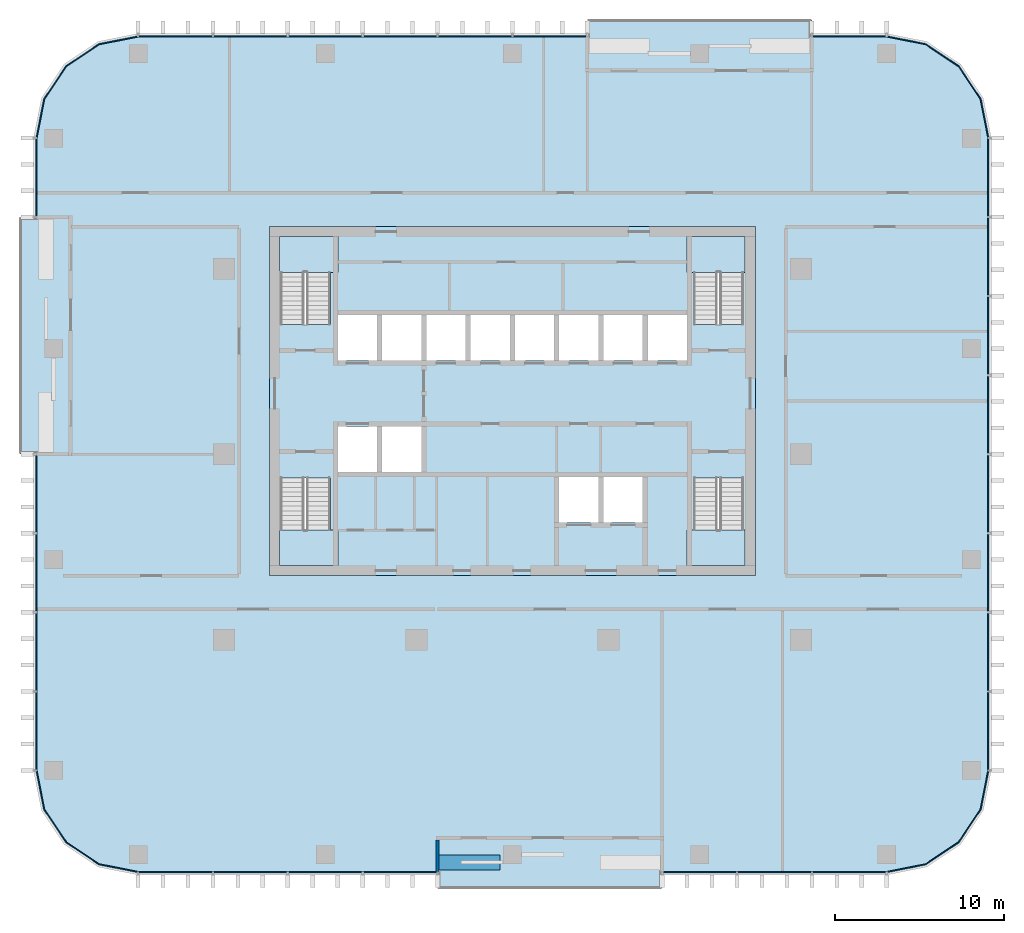
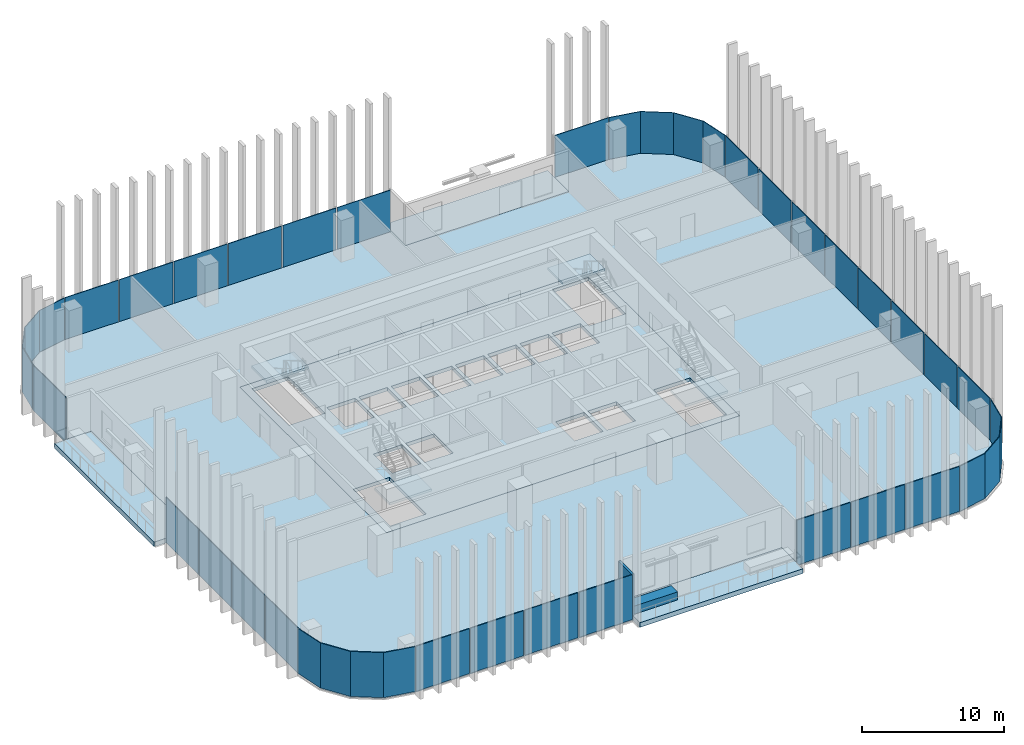
# One storey, part 6 of 16: 31 plates, 9 slabs, 2 walls, 15 elements without a shape of their own.
"""IFC4 building model written with IfcOpenShell, lengths in metres."""

from ifc_helpers import new_model, si_unit, direction, frame, frame_2d, origin, origin_2d, place, context, subcontext, project, spatial, polyline, rectangle, outline, extrude, material, layer, layer_set, type_object, element, aggregate, save


model = new_model("IFC4")

# Units and contexts
model_context = context("Model", 3, precision=1e-05, world=origin(), true_north=direction((0.0, 1.0)))
body_context = subcontext(model_context, "Body", "Model", "MODEL_VIEW")
ifc_project = project(units=[si_unit("LENGTHUNIT", "METRE"), si_unit("AREAUNIT", "SQUARE_METRE"), si_unit("VOLUMEUNIT", "CUBIC_METRE"), si_unit("PLANEANGLEUNIT", "RADIAN"), si_unit("MASSUNIT", "GRAM", prefix="KILO")], contexts=[model_context])

# Site, building, storey
site_placement = place(None, origin())
site = spatial("IfcSite", under=ifc_project, at=site_placement, CompositionType="ELEMENT")
building_placement = place(site_placement, origin())
building = spatial("IfcBuilding", under=site, at=building_placement, Name="Mopane Tessera Tower", CompositionType="ELEMENT")
storey_placement = place(building_placement, frame((0.0, 0.0, 247.0)))
storey = spatial("IfcBuildingStorey", under=building, at=storey_placement, Name="L53", CompositionType="ELEMENT", Elevation=247.0)

# Slab
ifc_material_1 = material(Name="Concrete C40/50", Category="concrete")
ifc_layer_1 = layer(ifc_material_1, 0.300048828125)
ifc_layer_set_1 = layer_set([ifc_layer_1], Name="Concrete C40/50")
slab_type_1 = type_object("IfcSlabType", Name="Core floor slab 300 mm", PredefinedType="FLOOR", material=ifc_layer_set_1)
slab_1_placement = place(storey_placement, frame((0.0, 0.0, -0.300048828125)))
element("IfcSlab", 1, at=slab_1_placement, inside=storey, type_object=slab_type_1, Name="L53 core floor slab", PredefinedType="FLOOR", context=body_context, shape_type="SweptSolid", body=[
    extrude(outline(polyline([(-14.39990234375, -7.199951171875), (14.39990234375, -7.199951171875), (14.39990234375, 13.5), (-14.39990234375, 13.5), (-14.39990234375, -7.199951171875)]), holes=[polyline([(-10.35009765625, -1.050048828125), (-8.02490234375, -1.050048828125), (-8.02490234375, 1.64990234375), (-10.35009765625, 1.64990234375), (-10.35009765625, -1.050048828125)]), polyline([(-7.72509765625, -1.050048828125), (-5.39990234375, -1.050048828125), (-5.39990234375, 1.64990234375), (-7.72509765625, 1.64990234375), (-7.72509765625, -1.050048828125)]), polyline([(-10.35009765625, 5.550048828125), (-8.02490234375, 5.550048828125), (-8.02490234375, 8.25), (-10.35009765625, 8.25), (-10.35009765625, 5.550048828125)]), polyline([(-7.72509765625, 5.550048828125), (-5.39990234375, 5.550048828125), (-5.39990234375, 8.25), (-7.72509765625, 8.25), (-7.72509765625, 5.550048828125)]), polyline([(-5.10009765625, 5.550048828125), (-2.77490234375, 5.550048828125), (-2.77490234375, 8.25), (-5.10009765625, 8.25), (-5.10009765625, 5.550048828125)]), polyline([(-2.47509765625, 5.550048828125), (-0.14990234375, 5.550048828125), (-0.14990234375, 8.25), (-2.47509765625, 8.25), (-2.47509765625, 5.550048828125)]), polyline([(0.14990234375, 5.550048828125), (2.47509765625, 5.550048828125), (2.47509765625, 8.25), (0.14990234375, 8.25), (0.14990234375, 5.550048828125)]), polyline([(2.77490234375, 5.550048828125), (5.10009765625, 5.550048828125), (5.10009765625, 8.25), (2.77490234375, 8.25), (2.77490234375, 5.550048828125)]), polyline([(5.39990234375, 5.550048828125), (7.72509765625, 5.550048828125), (7.72509765625, 8.25), (5.39990234375, 8.25), (5.39990234375, 5.550048828125)]), polyline([(8.02490234375, 5.550048828125), (10.35009765625, 5.550048828125), (10.35009765625, 8.25), (8.02490234375, 8.25), (8.02490234375, 5.550048828125)]), polyline([(2.77490234375, -4.050048828125), (5.10009765625, -4.050048828125), (5.10009765625, -1.35009765625), (2.77490234375, -1.35009765625), (2.77490234375, -4.050048828125)]), polyline([(5.39990234375, -4.050048828125), (7.72509765625, -4.050048828125), (7.72509765625, -1.35009765625), (5.39990234375, -1.35009765625), (5.39990234375, -4.050048828125)]), polyline([(-13.75, -1.405029296875), (-13.75, -6.60009765625), (-10.800048828125, -6.60009765625), (-10.800048828125, -1.405029296875), (-13.75, -1.405029296875)]), polyline([(-10.800048828125, 7.705078125), (-10.800048828125, 12.89990234375), (-13.75, 12.89990234375), (-13.75, 7.705078125), (-10.800048828125, 7.705078125)]), polyline([(10.75, -1.405029296875), (10.75, -6.60009765625), (13.699951171875, -6.60009765625), (13.699951171875, -1.405029296875), (10.75, -1.405029296875)]), polyline([(13.699951171875, 7.705078125), (13.699951171875, 12.89990234375), (10.75, 12.89990234375), (10.75, 7.705078125), (13.699951171875, 7.705078125)])]), origin(), (0.0, 0.0, 1.0), 0.300048828125),
])

# Stair, slab
ifc_material_2 = material(Name="Concrete C50/60", Category="concrete")
stair_type = type_object("IfcStairType", Name="Escape stair 1400 mm, riser 167 mm", PredefinedType="HALF_TURN_STAIR", material=ifc_material_2)
stair_1_placement = place(storey_placement, origin())
stair_1 = element("IfcStair", 2, at=stair_1_placement, inside=storey, type_object=stair_type, Name="L53 Escape stair south-west", PredefinedType="HALF_TURN_STAIR")
ifc_material_3 = material(Name="Concrete C50/60", Category="concrete")
ifc_layer_2 = layer(ifc_material_3, 0.199951171875)
ifc_layer_set_2 = layer_set([ifc_layer_2], Name="Concrete C50/60")
slab_type_2 = type_object("IfcSlabType", Name="Escape stair landing 200 mm", PredefinedType="LANDING", material=ifc_layer_set_2)
slab_2_placement = place(storey_placement, frame((0.0, 0.0, 1.800048828125)))
slab_2 = element("IfcSlab", 3, at=slab_2_placement, type_object=slab_type_2, Name="ST1 landing 1", PredefinedType="LANDING", context=body_context, shape_type="SweptSolid", body=[
    extrude(outline(polyline([(-13.800048828125, -4.47998046875), (-13.800048828125, -6.60009765625), (-10.35009765625, -6.60009765625), (-10.35009765625, -4.47998046875), (-13.800048828125, -4.47998046875)])), origin(), (0.0, 0.0, 1.0), 0.199951171875),
])
aggregate(stair_1, [slab_2])

stair_2_placement = place(storey_placement, origin())
stair_2 = element("IfcStair", 4, at=stair_2_placement, inside=storey, type_object=stair_type, Name="L53 Escape stair north-west", PredefinedType="HALF_TURN_STAIR")
slab_3_placement = place(storey_placement, frame((0.0, 0.0, 1.800048828125)))
slab_3 = element("IfcSlab", 5, at=slab_3_placement, type_object=slab_type_2, Name="ST2 landing 1", PredefinedType="LANDING", context=body_context, shape_type="SweptSolid", body=[
    extrude(outline(polyline([(-10.35009765625, 10.780029296875), (-10.35009765625, 12.89990234375), (-13.800048828125, 12.89990234375), (-13.800048828125, 10.780029296875), (-10.35009765625, 10.780029296875)])), origin(), (0.0, 0.0, 1.0), 0.199951171875),
])
aggregate(stair_2, [slab_3])

stair_3_placement = place(storey_placement, origin())
stair_3 = element("IfcStair", 6, at=stair_3_placement, inside=storey, type_object=stair_type, Name="L53 Escape stair south-east", PredefinedType="HALF_TURN_STAIR")
slab_4_placement = place(storey_placement, frame((0.0, 0.0, 1.800048828125)))
slab_4 = element("IfcSlab", 7, at=slab_4_placement, type_object=slab_type_2, Name="ST3 landing 1", PredefinedType="LANDING", context=body_context, shape_type="SweptSolid", body=[
    extrude(outline(polyline([(10.35009765625, -4.47998046875), (10.35009765625, -6.60009765625), (13.800048828125, -6.60009765625), (13.800048828125, -4.47998046875), (10.35009765625, -4.47998046875)])), origin(), (0.0, 0.0, 1.0), 0.199951171875),
])
aggregate(stair_3, [slab_4])

stair_4_placement = place(storey_placement, origin())
stair_4 = element("IfcStair", 8, at=stair_4_placement, inside=storey, type_object=stair_type, Name="L53 Escape stair north-east", PredefinedType="HALF_TURN_STAIR")
slab_5_placement = place(storey_placement, frame((0.0, 0.0, 1.800048828125)))
slab_5 = element("IfcSlab", 9, at=slab_5_placement, type_object=slab_type_2, Name="ST4 landing 1", PredefinedType="LANDING", context=body_context, shape_type="SweptSolid", body=[
    extrude(outline(polyline([(13.800048828125, 10.780029296875), (13.800048828125, 12.89990234375), (10.35009765625, 12.89990234375), (10.35009765625, 10.780029296875), (13.800048828125, 10.780029296875)])), origin(), (0.0, 0.0, 1.0), 0.199951171875),
])
aggregate(stair_4, [slab_5])

# Slabs
ifc_material_4 = material(Name="Concrete C40/50", Category="concrete")
ifc_layer_3 = layer(ifc_material_4, 0.39990234375)
ifc_layer_set_3 = layer_set([ifc_layer_3], Name="Concrete C40/50")
slab_type_3 = type_object("IfcSlabType", Name="Planted terrace slab 400 mm", PredefinedType="FLOOR", material=ifc_layer_set_3)
slab_6_placement = place(storey_placement, frame((0.0, 0.0, -0.39990234375)))
element("IfcSlab", 10, at=slab_6_placement, inside=storey, type_object=slab_type_3, Name="Terrace slab N1 L53", PredefinedType="FLOOR", context=body_context, shape_type="SweptSolid", body=[
    extrude(outline(polyline([(8.8798828125, -25.75), (8.8798828125, -22.75), (-4.43994140625, -22.75), (-4.43994140625, -25.75), (8.8798828125, -25.75)])), origin(), (0.0, 0.0, 1.0), 0.39990234375),
])
slab_7_placement = place(storey_placement, frame((0.0, 0.0, -0.39990234375)))
element("IfcSlab", 11, at=slab_7_placement, inside=storey, type_object=slab_type_3, Name="Terrace slab N2 L53", PredefinedType="FLOOR", context=body_context, shape_type="SweptSolid", body=[
    extrude(outline(polyline([(4.43994140625, 25.75), (4.43994140625, 22.75), (17.760009765625, 22.75), (17.760009765625, 25.75), (4.43994140625, 25.75)])), origin(), (0.0, 0.0, 1.0), 0.39990234375),
])
slab_8_placement = place(storey_placement, frame((0.0, 0.0, -0.39990234375)))
element("IfcSlab", 12, at=slab_8_placement, inside=storey, type_object=slab_type_3, Name="Terrace slab N3 L53", PredefinedType="FLOOR", context=body_context, shape_type="SweptSolid", body=[
    extrude(outline(polyline([(-29.199951171875, 0.0), (-26.199951171875, 0.0), (-26.199951171875, 14.0625), (-29.199951171875, 14.0625), (-29.199951171875, 0.0)])), origin(), (0.0, 0.0, 1.0), 0.39990234375),
])
ifc_material_5 = material(Name="Concrete C40/50", Category="concrete")
ifc_layer_4 = layer(ifc_material_5, 0.39990234375)
ifc_layer_set_4 = layer_set([ifc_layer_4], Name="Concrete C40/50")
slab_type_4 = type_object("IfcSlabType", Name="Post-tensioned flat plate 400 mm", PredefinedType="FLOOR", material=ifc_layer_set_4)
slab_9_placement = place(storey_placement, frame((0.0, 0.0, -0.39990234375)))
element("IfcSlab", 13, at=slab_9_placement, inside=storey, type_object=slab_type_4, Name="Floor slab L53", PredefinedType="FLOOR", context=body_context, shape_type="SweptSolid", body=[
    extrude(outline(polyline([(-22.199951171875, -24.75), (-4.43994140625, -24.75), (-4.43994140625, -22.75), (8.8798828125, -22.75), (8.8798828125, -24.75), (22.199951171875, -24.75), (24.49609375, -24.293212890625), (26.442626953125, -22.99267578125), (27.7431640625, -21.046142578125), (28.199951171875, -18.75), (28.199951171875, 18.75), (27.7431640625, 21.046142578125), (26.442626953125, 22.99267578125), (24.49609375, 24.293212890625), (22.199951171875, 24.75), (17.760009765625, 24.75), (17.760009765625, 22.75), (4.43994140625, 22.75), (4.43994140625, 24.75), (-22.199951171875, 24.75), (-24.49609375, 24.293212890625), (-26.442626953125, 22.99267578125), (-27.7431640625, 21.046142578125), (-28.199951171875, 18.75), (-28.199951171875, 14.0625), (-26.199951171875, 14.0625), (-26.199951171875, 0.0), (-28.199951171875, 0.0), (-28.199951171875, -18.75), (-27.7431640625, -21.046142578125), (-26.442626953125, -22.99267578125), (-24.49609375, -24.293212890625), (-22.199951171875, -24.75)]), holes=[polyline([(14.39990234375, -7.199951171875), (-14.39990234375, -7.199951171875), (-14.39990234375, 13.5), (14.39990234375, 13.5), (14.39990234375, -7.199951171875)])]), origin(), (0.0, 0.0, 1.0), 0.39990234375),
])

# Curtain wall, plates
ifc_material_6 = material(Name="Aluminium frame", Category="aluminium")
curtain_wall_type = type_object("IfcCurtainWallType", Name="Unitised curtain wall", PredefinedType="NOTDEFINED", material=ifc_material_6)
curtain_wall_1_placement = place(storey_placement, origin())
curtain_wall_1 = element("IfcCurtainWall", 14, at=curtain_wall_1_placement, inside=storey, type_object=curtain_wall_type, Name="e:cw:L53:S:0", PredefinedType="NOTDEFINED")
ifc_material_7 = material(Name="Clear laminated glass", Category="glass")
ifc_layer_5 = layer(ifc_material_7, 0.06005859375)
ifc_layer_set_5 = layer_set([ifc_layer_5], Name="Clear laminated glass")
plate_type = type_object("IfcPlateType", Name="Unitised glazed unit", PredefinedType="CURTAIN_PANEL", material=ifc_layer_set_5)
plate_1_placement = place(storey_placement, frame((-19.97998046875, -24.780029296875, -0.280029296875), z_axis=(0.0, 0.0, 1.0), x_axis=(1.0, 0.0, 0.0)))
plate_1 = element("IfcPlate", 15, at=plate_1_placement, type_object=plate_type, Name="e:cw:L53:S:0:pn0", PredefinedType="CURTAIN_PANEL", context=body_context, shape_type="SweptSolid", body=[
    extrude(rectangle(XDim=4.340087890625, YDim=0.06005859375, at=origin_2d()), origin(), (0.0, 0.0, 1.0), 3.8798828125),
])
plate_2_placement = place(storey_placement, frame((-15.5400390625, -24.780029296875, -0.280029296875), z_axis=(0.0, 0.0, 1.0), x_axis=(1.0, 0.0, 0.0)))
plate_2 = element("IfcPlate", 16, at=plate_2_placement, type_object=plate_type, Name="e:cw:L53:S:0:pn1", PredefinedType="CURTAIN_PANEL", context=body_context, shape_type="SweptSolid", body=[
    extrude(rectangle(XDim=4.340087890625, YDim=0.06005859375, at=origin_2d()), origin(), (0.0, 0.0, 1.0), 3.8798828125),
])
plate_3_placement = place(storey_placement, frame((-11.10009765625, -24.780029296875, -0.280029296875), z_axis=(0.0, 0.0, 1.0), x_axis=(1.0, 0.0, 0.0)))
plate_3 = element("IfcPlate", 17, at=plate_3_placement, type_object=plate_type, Name="e:cw:L53:S:0:pn2", PredefinedType="CURTAIN_PANEL", context=body_context, shape_type="SweptSolid", body=[
    extrude(rectangle(XDim=4.340087890625, YDim=0.06005859375, at=origin_2d()), origin(), (0.0, 0.0, 1.0), 3.8798828125),
])
plate_4_placement = place(storey_placement, frame((-6.659912109375, -24.780029296875, -0.280029296875), z_axis=(0.0, 0.0, 1.0), x_axis=(1.0, 0.0, 0.0)))
plate_4 = element("IfcPlate", 18, at=plate_4_placement, type_object=plate_type, Name="e:cw:L53:S:0:pn3", PredefinedType="CURTAIN_PANEL", context=body_context, shape_type="SweptSolid", body=[
    extrude(rectangle(XDim=4.340087890625, YDim=0.06005859375, at=origin_2d()), origin(), (0.0, 0.0, 1.0), 3.8798828125),
])
aggregate(curtain_wall_1, [plate_1, plate_2, plate_3, plate_4])

curtain_wall_2_placement = place(storey_placement, origin())
curtain_wall_2 = element("IfcCurtainWall", 19, at=curtain_wall_2_placement, inside=storey, type_object=curtain_wall_type, Name="e:cw:L53:S:7", PredefinedType="NOTDEFINED")
plate_5_placement = place(storey_placement, frame((11.10009765625, -24.780029296875, -0.280029296875), z_axis=(0.0, 0.0, 1.0), x_axis=(1.0, 0.0, 0.0)))
plate_5 = element("IfcPlate", 20, at=plate_5_placement, type_object=plate_type, Name="e:cw:L53:S:7:pn7", PredefinedType="CURTAIN_PANEL", context=body_context, shape_type="SweptSolid", body=[
    extrude(rectangle(XDim=4.340087890625, YDim=0.06005859375, at=origin_2d()), origin(), (0.0, 0.0, 1.0), 3.8798828125),
])
plate_6_placement = place(storey_placement, frame((15.5400390625, -24.780029296875, -0.280029296875), z_axis=(0.0, 0.0, 1.0), x_axis=(1.0, 0.0, 0.0)))
plate_6 = element("IfcPlate", 21, at=plate_6_placement, type_object=plate_type, Name="e:cw:L53:S:7:pn8", PredefinedType="CURTAIN_PANEL", context=body_context, shape_type="SweptSolid", body=[
    extrude(rectangle(XDim=4.340087890625, YDim=0.06005859375, at=origin_2d()), origin(), (0.0, 0.0, 1.0), 3.8798828125),
])
plate_7_placement = place(storey_placement, frame((19.97998046875, -24.780029296875, -0.280029296875), z_axis=(0.0, 0.0, 1.0), x_axis=(1.0, 0.0, 0.0)))
plate_7 = element("IfcPlate", 22, at=plate_7_placement, type_object=plate_type, Name="e:cw:L53:S:7:pn9", PredefinedType="CURTAIN_PANEL", context=body_context, shape_type="SweptSolid", body=[
    extrude(rectangle(XDim=4.340087890625, YDim=0.06005859375, at=origin_2d()), origin(), (0.0, 0.0, 1.0), 3.8798828125),
])
aggregate(curtain_wall_2, [plate_5, plate_6, plate_7])

# Curtain wall, plate
curtain_wall_3_placement = place(storey_placement, origin())
curtain_wall_3 = element("IfcCurtainWall", 23, at=curtain_wall_3_placement, inside=storey, type_object=curtain_wall_type, Name="e:cw:L53:CS", PredefinedType="NOTDEFINED")
plate_8_placement = place(storey_placement, frame((0.0, 0.0, -0.280029296875)))
plate_8 = element("IfcPlate", 24, at=plate_8_placement, type_object=plate_type, Name="e:cw:L53:CS:pn", PredefinedType="CURTAIN_PANEL", context=body_context, shape_type="SweptSolid", body=[
    extrude(outline(polyline([(22.199951171875, -24.75), (24.49609375, -24.293212890625), (26.442626953125, -22.99267578125), (27.7431640625, -21.046142578125), (28.199951171875, -18.75), (28.260009765625, -18.75), (27.798828125, -21.069091796875), (26.485107421875, -23.03515625), (24.51904296875, -24.3486328125), (22.199951171875, -24.81005859375), (22.199951171875, -24.75)])), origin(), (0.0, 0.0, 1.0), 3.880126953125),
])
aggregate(curtain_wall_3, [plate_8])

# Curtain wall, plates
curtain_wall_4_placement = place(storey_placement, origin())
curtain_wall_4 = element("IfcCurtainWall", 25, at=curtain_wall_4_placement, inside=storey, type_object=curtain_wall_type, Name="e:cw:L53:E:0", PredefinedType="NOTDEFINED")
plate_9_placement = place(storey_placement, frame((28.22998046875, -16.40625, -0.280029296875), z_axis=(0.0, 0.0, 1.0), x_axis=(0.0, 1.0, 0.0)))
plate_9 = element("IfcPlate", 26, at=plate_9_placement, type_object=plate_type, Name="e:cw:L53:E:0:pn0", PredefinedType="CURTAIN_PANEL", context=body_context, shape_type="SweptSolid", body=[
    extrude(rectangle(XDim=4.58740234375, YDim=0.06005859375, at=origin_2d()), origin(), (0.0, 0.0, 1.0), 3.8798828125),
])
plate_10_placement = place(storey_placement, frame((28.22998046875, -11.71875, -0.280029296875), z_axis=(0.0, 0.0, 1.0), x_axis=(0.0, 1.0, 0.0)))
plate_10 = element("IfcPlate", 27, at=plate_10_placement, type_object=plate_type, Name="e:cw:L53:E:0:pn1", PredefinedType="CURTAIN_PANEL", context=body_context, shape_type="SweptSolid", body=[
    extrude(rectangle(XDim=4.58740234375, YDim=0.06005859375, at=origin_2d()), origin(), (0.0, 0.0, 1.0), 3.8798828125),
])
plate_11_placement = place(storey_placement, frame((28.22998046875, -7.03125, -0.280029296875), z_axis=(0.0, 0.0, 1.0), x_axis=(0.0, 1.0, 0.0)))
plate_11 = element("IfcPlate", 28, at=plate_11_placement, type_object=plate_type, Name="e:cw:L53:E:0:pn2", PredefinedType="CURTAIN_PANEL", context=body_context, shape_type="SweptSolid", body=[
    extrude(rectangle(XDim=4.58740234375, YDim=0.06005859375, at=origin_2d()), origin(), (0.0, 0.0, 1.0), 3.8798828125),
])
plate_12_placement = place(storey_placement, frame((28.22998046875, -2.34375, -0.280029296875), z_axis=(0.0, 0.0, 1.0), x_axis=(0.0, 1.0, 0.0)))
plate_12 = element("IfcPlate", 29, at=plate_12_placement, type_object=plate_type, Name="e:cw:L53:E:0:pn3", PredefinedType="CURTAIN_PANEL", context=body_context, shape_type="SweptSolid", body=[
    extrude(rectangle(XDim=4.58740234375, YDim=0.06005859375, at=origin_2d()), origin(), (0.0, 0.0, 1.0), 3.8798828125),
])
plate_13_placement = place(storey_placement, frame((28.22998046875, 2.34375, -0.280029296875), z_axis=(0.0, 0.0, 1.0), x_axis=(0.0, 1.0, 0.0)))
plate_13 = element("IfcPlate", 30, at=plate_13_placement, type_object=plate_type, Name="e:cw:L53:E:0:pn4", PredefinedType="CURTAIN_PANEL", context=body_context, shape_type="SweptSolid", body=[
    extrude(rectangle(XDim=4.58740234375, YDim=0.06005859375, at=origin_2d()), origin(), (0.0, 0.0, 1.0), 3.8798828125),
])
plate_14_placement = place(storey_placement, frame((28.22998046875, 7.03125, -0.280029296875), z_axis=(0.0, 0.0, 1.0), x_axis=(0.0, 1.0, 0.0)))
plate_14 = element("IfcPlate", 31, at=plate_14_placement, type_object=plate_type, Name="e:cw:L53:E:0:pn5", PredefinedType="CURTAIN_PANEL", context=body_context, shape_type="SweptSolid", body=[
    extrude(rectangle(XDim=4.58740234375, YDim=0.06005859375, at=origin_2d()), origin(), (0.0, 0.0, 1.0), 3.8798828125),
])
plate_15_placement = place(storey_placement, frame((28.22998046875, 11.71875, -0.280029296875), z_axis=(0.0, 0.0, 1.0), x_axis=(0.0, 1.0, 0.0)))
plate_15 = element("IfcPlate", 32, at=plate_15_placement, type_object=plate_type, Name="e:cw:L53:E:0:pn6", PredefinedType="CURTAIN_PANEL", context=body_context, shape_type="SweptSolid", body=[
    extrude(rectangle(XDim=4.58740234375, YDim=0.06005859375, at=origin_2d()), origin(), (0.0, 0.0, 1.0), 3.8798828125),
])
plate_16_placement = place(storey_placement, frame((28.22998046875, 16.40625, -0.280029296875), z_axis=(0.0, 0.0, 1.0), x_axis=(0.0, 1.0, 0.0)))
plate_16 = element("IfcPlate", 33, at=plate_16_placement, type_object=plate_type, Name="e:cw:L53:E:0:pn7", PredefinedType="CURTAIN_PANEL", context=body_context, shape_type="SweptSolid", body=[
    extrude(rectangle(XDim=4.58740234375, YDim=0.06005859375, at=origin_2d()), origin(), (0.0, 0.0, 1.0), 3.8798828125),
])
aggregate(curtain_wall_4, [plate_9, plate_10, plate_11, plate_12, plate_13, plate_14, plate_15, plate_16])

# Curtain wall, plate
curtain_wall_5_placement = place(storey_placement, origin())
curtain_wall_5 = element("IfcCurtainWall", 34, at=curtain_wall_5_placement, inside=storey, type_object=curtain_wall_type, Name="e:cw:L53:CE", PredefinedType="NOTDEFINED")
plate_17_placement = place(storey_placement, frame((0.0, 0.0, -0.280029296875)))
plate_17 = element("IfcPlate", 35, at=plate_17_placement, type_object=plate_type, Name="e:cw:L53:CE:pn", PredefinedType="CURTAIN_PANEL", context=body_context, shape_type="SweptSolid", body=[
    extrude(outline(polyline([(28.199951171875, 18.75), (27.7431640625, 21.046142578125), (26.442626953125, 22.99267578125), (24.49609375, 24.293212890625), (22.199951171875, 24.75), (22.199951171875, 24.81005859375), (24.51904296875, 24.3486328125), (26.485107421875, 23.03515625), (27.798828125, 21.069091796875), (28.260009765625, 18.75), (28.199951171875, 18.75)])), origin(), (0.0, 0.0, 1.0), 3.880126953125),
])
aggregate(curtain_wall_5, [plate_17])

curtain_wall_6_placement = place(storey_placement, origin())
curtain_wall_6 = element("IfcCurtainWall", 36, at=curtain_wall_6_placement, inside=storey, type_object=curtain_wall_type, Name="e:cw:L53:N:0", PredefinedType="NOTDEFINED")
plate_18_placement = place(storey_placement, frame((19.97998046875, 24.780029296875, -0.280029296875), z_axis=(0.0, 0.0, 1.0), x_axis=(-1.0, 0.0, 0.0)))
plate_18 = element("IfcPlate", 37, at=plate_18_placement, type_object=plate_type, Name="e:cw:L53:N:0:pn0", PredefinedType="CURTAIN_PANEL", context=body_context, shape_type="SweptSolid", body=[
    extrude(rectangle(XDim=4.340087890625, YDim=0.06005859375, at=origin_2d()), origin(), (0.0, 0.0, 1.0), 3.8798828125),
])
aggregate(curtain_wall_6, [plate_18])

# Curtain wall, plates
curtain_wall_7_placement = place(storey_placement, origin())
curtain_wall_7 = element("IfcCurtainWall", 38, at=curtain_wall_7_placement, inside=storey, type_object=curtain_wall_type, Name="e:cw:L53:N:4", PredefinedType="NOTDEFINED")
plate_19_placement = place(storey_placement, frame((2.219970703125, 24.780029296875, -0.280029296875), z_axis=(0.0, 0.0, 1.0), x_axis=(-1.0, 0.0, 0.0)))
plate_19 = element("IfcPlate", 39, at=plate_19_placement, type_object=plate_type, Name="e:cw:L53:N:4:pn4", PredefinedType="CURTAIN_PANEL", context=body_context, shape_type="SweptSolid", body=[
    extrude(rectangle(XDim=4.340087890625, YDim=0.06005859375, at=origin_2d()), origin(), (0.0, 0.0, 1.0), 3.8798828125),
])
plate_20_placement = place(storey_placement, frame((-2.219970703125, 24.780029296875, -0.280029296875), z_axis=(0.0, 0.0, 1.0), x_axis=(-1.0, 0.0, 0.0)))
plate_20 = element("IfcPlate", 40, at=plate_20_placement, type_object=plate_type, Name="e:cw:L53:N:4:pn5", PredefinedType="CURTAIN_PANEL", context=body_context, shape_type="SweptSolid", body=[
    extrude(rectangle(XDim=4.340087890625, YDim=0.06005859375, at=origin_2d()), origin(), (0.0, 0.0, 1.0), 3.8798828125),
])
plate_21_placement = place(storey_placement, frame((-6.659912109375, 24.780029296875, -0.280029296875), z_axis=(0.0, 0.0, 1.0), x_axis=(-1.0, 0.0, 0.0)))
plate_21 = element("IfcPlate", 41, at=plate_21_placement, type_object=plate_type, Name="e:cw:L53:N:4:pn6", PredefinedType="CURTAIN_PANEL", context=body_context, shape_type="SweptSolid", body=[
    extrude(rectangle(XDim=4.340087890625, YDim=0.06005859375, at=origin_2d()), origin(), (0.0, 0.0, 1.0), 3.8798828125),
])
plate_22_placement = place(storey_placement, frame((-11.10009765625, 24.780029296875, -0.280029296875), z_axis=(0.0, 0.0, 1.0), x_axis=(-1.0, 0.0, 0.0)))
plate_22 = element("IfcPlate", 42, at=plate_22_placement, type_object=plate_type, Name="e:cw:L53:N:4:pn7", PredefinedType="CURTAIN_PANEL", context=body_context, shape_type="SweptSolid", body=[
    extrude(rectangle(XDim=4.340087890625, YDim=0.06005859375, at=origin_2d()), origin(), (0.0, 0.0, 1.0), 3.8798828125),
])
plate_23_placement = place(storey_placement, frame((-15.5400390625, 24.780029296875, -0.280029296875), z_axis=(0.0, 0.0, 1.0), x_axis=(-1.0, 0.0, 0.0)))
plate_23 = element("IfcPlate", 43, at=plate_23_placement, type_object=plate_type, Name="e:cw:L53:N:4:pn8", PredefinedType="CURTAIN_PANEL", context=body_context, shape_type="SweptSolid", body=[
    extrude(rectangle(XDim=4.340087890625, YDim=0.06005859375, at=origin_2d()), origin(), (0.0, 0.0, 1.0), 3.8798828125),
])
plate_24_placement = place(storey_placement, frame((-19.97998046875, 24.780029296875, -0.280029296875), z_axis=(0.0, 0.0, 1.0), x_axis=(-1.0, 0.0, 0.0)))
plate_24 = element("IfcPlate", 44, at=plate_24_placement, type_object=plate_type, Name="e:cw:L53:N:4:pn9", PredefinedType="CURTAIN_PANEL", context=body_context, shape_type="SweptSolid", body=[
    extrude(rectangle(XDim=4.340087890625, YDim=0.06005859375, at=origin_2d()), origin(), (0.0, 0.0, 1.0), 3.8798828125),
])
aggregate(curtain_wall_7, [plate_19, plate_20, plate_21, plate_22, plate_23, plate_24])

# Curtain wall, plate
curtain_wall_8_placement = place(storey_placement, origin())
curtain_wall_8 = element("IfcCurtainWall", 45, at=curtain_wall_8_placement, inside=storey, type_object=curtain_wall_type, Name="e:cw:L53:CN", PredefinedType="NOTDEFINED")
plate_25_placement = place(storey_placement, frame((0.0, 0.0, -0.280029296875)))
plate_25 = element("IfcPlate", 46, at=plate_25_placement, type_object=plate_type, Name="e:cw:L53:CN:pn", PredefinedType="CURTAIN_PANEL", context=body_context, shape_type="SweptSolid", body=[
    extrude(outline(polyline([(-22.199951171875, 24.75), (-24.49609375, 24.293212890625), (-26.442626953125, 22.99267578125), (-27.7431640625, 21.046142578125), (-28.199951171875, 18.75), (-28.260009765625, 18.75), (-27.798828125, 21.069091796875), (-26.485107421875, 23.03515625), (-24.51904296875, 24.3486328125), (-22.199951171875, 24.81005859375), (-22.199951171875, 24.75)])), origin(), (0.0, 0.0, 1.0), 3.880126953125),
])
aggregate(curtain_wall_8, [plate_25])

curtain_wall_9_placement = place(storey_placement, origin())
curtain_wall_9 = element("IfcCurtainWall", 47, at=curtain_wall_9_placement, inside=storey, type_object=curtain_wall_type, Name="e:cw:L53:W:0", PredefinedType="NOTDEFINED")
plate_26_placement = place(storey_placement, frame((-28.22998046875, 16.40625, -0.280029296875), z_axis=(0.0, 0.0, 1.0), x_axis=(0.0, -1.0, 0.0)))
plate_26 = element("IfcPlate", 48, at=plate_26_placement, type_object=plate_type, Name="e:cw:L53:W:0:pn0", PredefinedType="CURTAIN_PANEL", context=body_context, shape_type="SweptSolid", body=[
    extrude(rectangle(XDim=4.58740234375, YDim=0.06005859375, at=origin_2d()), origin(), (0.0, 0.0, 1.0), 3.8798828125),
])
aggregate(curtain_wall_9, [plate_26])

# Curtain wall, plates
curtain_wall_10_placement = place(storey_placement, origin())
curtain_wall_10 = element("IfcCurtainWall", 49, at=curtain_wall_10_placement, inside=storey, type_object=curtain_wall_type, Name="e:cw:L53:W:4", PredefinedType="NOTDEFINED")
plate_27_placement = place(storey_placement, frame((-28.22998046875, -2.34375, -0.280029296875), z_axis=(0.0, 0.0, 1.0), x_axis=(0.0, -1.0, 0.0)))
plate_27 = element("IfcPlate", 50, at=plate_27_placement, type_object=plate_type, Name="e:cw:L53:W:4:pn4", PredefinedType="CURTAIN_PANEL", context=body_context, shape_type="SweptSolid", body=[
    extrude(rectangle(XDim=4.58740234375, YDim=0.06005859375, at=origin_2d()), origin(), (0.0, 0.0, 1.0), 3.8798828125),
])
plate_28_placement = place(storey_placement, frame((-28.22998046875, -7.03125, -0.280029296875), z_axis=(0.0, 0.0, 1.0), x_axis=(0.0, -1.0, 0.0)))
plate_28 = element("IfcPlate", 51, at=plate_28_placement, type_object=plate_type, Name="e:cw:L53:W:4:pn5", PredefinedType="CURTAIN_PANEL", context=body_context, shape_type="SweptSolid", body=[
    extrude(rectangle(XDim=4.58740234375, YDim=0.06005859375, at=origin_2d()), origin(), (0.0, 0.0, 1.0), 3.8798828125),
])
plate_29_placement = place(storey_placement, frame((-28.22998046875, -11.71875, -0.280029296875), z_axis=(0.0, 0.0, 1.0), x_axis=(0.0, -1.0, 0.0)))
plate_29 = element("IfcPlate", 52, at=plate_29_placement, type_object=plate_type, Name="e:cw:L53:W:4:pn6", PredefinedType="CURTAIN_PANEL", context=body_context, shape_type="SweptSolid", body=[
    extrude(rectangle(XDim=4.58740234375, YDim=0.06005859375, at=origin_2d()), origin(), (0.0, 0.0, 1.0), 3.8798828125),
])
plate_30_placement = place(storey_placement, frame((-28.22998046875, -16.40625, -0.280029296875), z_axis=(0.0, 0.0, 1.0), x_axis=(0.0, -1.0, 0.0)))
plate_30 = element("IfcPlate", 53, at=plate_30_placement, type_object=plate_type, Name="e:cw:L53:W:4:pn7", PredefinedType="CURTAIN_PANEL", context=body_context, shape_type="SweptSolid", body=[
    extrude(rectangle(XDim=4.58740234375, YDim=0.06005859375, at=origin_2d()), origin(), (0.0, 0.0, 1.0), 3.8798828125),
])
aggregate(curtain_wall_10, [plate_27, plate_28, plate_29, plate_30])

# Curtain wall, plate
curtain_wall_11_placement = place(storey_placement, origin())
curtain_wall_11 = element("IfcCurtainWall", 54, at=curtain_wall_11_placement, inside=storey, type_object=curtain_wall_type, Name="e:cw:L53:CW", PredefinedType="NOTDEFINED")
plate_31_placement = place(storey_placement, frame((0.0, 0.0, -0.280029296875)))
plate_31 = element("IfcPlate", 55, at=plate_31_placement, type_object=plate_type, Name="e:cw:L53:CW:pn", PredefinedType="CURTAIN_PANEL", context=body_context, shape_type="SweptSolid", body=[
    extrude(outline(polyline([(-28.199951171875, -18.75), (-27.7431640625, -21.046142578125), (-26.442626953125, -22.99267578125), (-24.49609375, -24.293212890625), (-22.199951171875, -24.75), (-22.199951171875, -24.81005859375), (-24.51904296875, -24.3486328125), (-26.485107421875, -23.03515625), (-27.798828125, -21.069091796875), (-28.260009765625, -18.75), (-28.199951171875, -18.75)])), origin(), (0.0, 0.0, 1.0), 3.880126953125),
])
aggregate(curtain_wall_11, [plate_31])

# Walls
ifc_material_8 = material(Name="Reinforced concrete C32/40 with waterproofing", Category="concrete")
ifc_layer_6 = layer(ifc_material_8, 0.89990234375)
ifc_layer_set_6 = layer_set([ifc_layer_6], Name="Reinforced concrete C32/40 with waterproofing")
wall_type_1 = type_object("IfcWallType", Name="Planter trough 3600 x 900", PredefinedType="STANDARD", material=ifc_layer_set_6)
wall_1_placement = place(storey_placement, frame((-4.340087890625, -24.199951171875, 0.0), z_axis=(0.0, 0.0, 1.0), x_axis=(1.0, 0.0, 0.0)))
element("IfcWall", 56, at=wall_1_placement, inside=storey, type_object=wall_type_1, Name="e:nw:L53:N1:pl0", PredefinedType="STANDARD", context=body_context, shape_type="SweptSolid", body=[
    extrude(rectangle(XDim=3.60009765625, YDim=0.89990234375, at=frame_2d((1.800048828125, 0.0))), origin(), (0.0, 0.0, 1.0), 0.699951171875),
])
ifc_material_9 = material(Name="Blockwork with glazed tile facing", Category="masonry")
ifc_layer_7 = layer(ifc_material_9, 0.199951171875)
ifc_layer_set_7 = layer_set([ifc_layer_7], Name="Blockwork with glazed tile facing")
wall_type_2 = type_object("IfcWallType", Name="Terrace cheek wall 200", PredefinedType="STANDARD", material=ifc_layer_set_7)
wall_2_placement = place(storey_placement, frame((-4.43994140625, -24.75, 0.0), z_axis=(0.0, 0.0, 1.0), x_axis=(0.0, 1.0, 0.0)))
element("IfcWall", 57, at=wall_2_placement, inside=storey, type_object=wall_type_2, Name="e:nw:L53:N1:cheeka", PredefinedType="STANDARD", context=body_context, shape_type="SweptSolid", body=[
    extrude(rectangle(XDim=1.875, YDim=0.199951171875, at=frame_2d((0.9375, 0.0))), origin(), (0.0, 0.0, 1.0), 3.60009765625),
])

save(model, "model.ifc")
